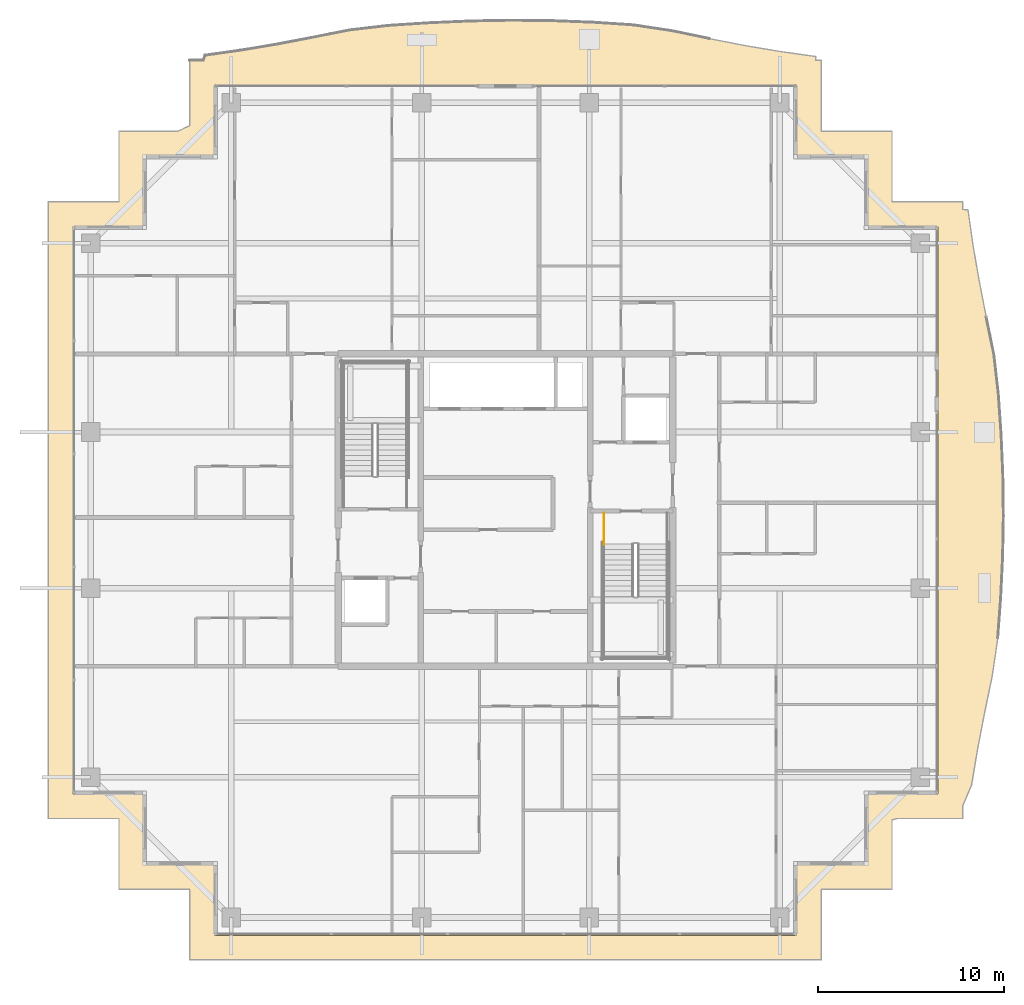
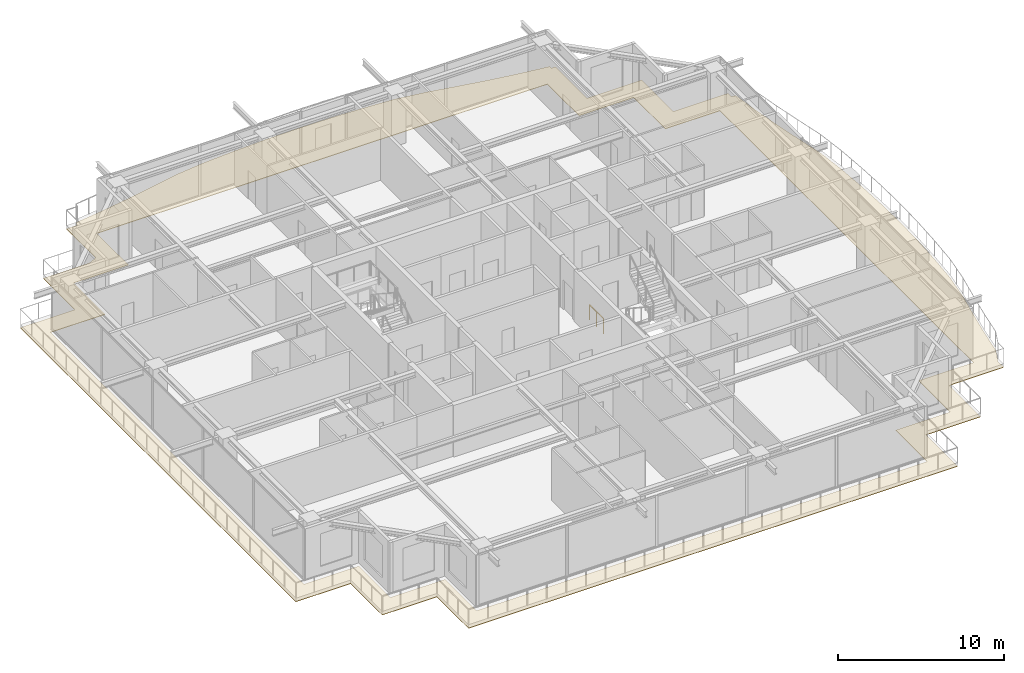
# One storey, part 37 of 39: 1 covering, 1 railing.
"""IFC4 building model written with IfcOpenShell, lengths in metres."""

from ifc_helpers import new_model, si_unit, direction, frame, origin, origin_2d, place, context, subcontext, project, spatial, polyline, circle, outline, extrude, material, layer, layer_set, type_object, element, save


model = new_model("IFC4")

# Units and contexts
model_context = context("Model", 3, precision=1e-05, world=origin(), true_north=direction((0.0, 1.0)))
body_context = subcontext(model_context, "Body", "Model", "MODEL_VIEW")
ifc_project = project(units=[si_unit("LENGTHUNIT", "METRE"), si_unit("AREAUNIT", "SQUARE_METRE"), si_unit("VOLUMEUNIT", "CUBIC_METRE"), si_unit("PLANEANGLEUNIT", "RADIAN"), si_unit("MASSUNIT", "GRAM", prefix="KILO")], contexts=[model_context])

# Site, building, storey
site_placement = place(None, origin())
site = spatial("IfcSite", under=ifc_project, at=site_placement, CompositionType="ELEMENT")
building_placement = place(site_placement, origin())
building = spatial("IfcBuilding", under=site, at=building_placement, Name="Serunith Strait Residences", CompositionType="ELEMENT")
storey_placement = place(building_placement, frame((0.0, 0.0, 329.89990234375)))
storey = spatial("IfcBuildingStorey", under=building, at=storey_placement, Name="L82", CompositionType="ELEMENT", Elevation=329.89990234375)

# Covering
ifc_material_1 = material(Name="Golden Teak Exterior Timber Boarding", Category="wood")
ifc_layer = layer(ifc_material_1, 0.034912109375, Name="Golden Teak Exterior Timber Boarding")
ifc_layer_set = layer_set([ifc_layer], Name="Golden Teak Exterior Timber Boarding")
covering_type = type_object("IfcCoveringType", Name="COV-TEAK-SOFFIT", PredefinedType="CEILING", material=ifc_layer_set)
covering_placement = place(storey_placement, frame((0.0, 0.0, -0.324951171875)))
element("IfcCovering", 1, at=covering_placement, inside=storey, type_object=covering_type, Name="L82 Golden-Teak Balcony Soffit Lining", PredefinedType="CEILING", context=body_context, shape_type="SweptSolid", body=[
    extrude(outline(polyline([(15.419921875, 49.3798828125), (16.15478515625, 49.3798828125), (16.243896484375, 49.6484375), (18.1455078125, 49.9150390625), (20.064453125, 50.23681640625), (22.017578125, 50.60791015625), (24.0234375, 51.008544921875), (26.134765625, 51.25146484375), (28.302734375, 51.39208984375), (30.49755859375, 51.48779296875), (32.7080078125, 51.527587890625), (34.9189453125, 51.505126953125), (37.114990234375, 51.419921875), (39.281982421875, 51.27880859375), (41.364013671875, 50.962158203125), (43.351806640625, 50.55029296875), (45.288330078125, 50.17333984375), (47.1943359375, 49.85107421875), (49.0869140625, 49.58837890625), (49.084716796875, 49.3798828125), (49.3798828125, 49.3798828125), (49.3798828125, 45.580078125), (53.179931640625, 45.580078125), (53.179931640625, 41.876220703125), (53.194580078125, 41.780029296875), (56.97998046875, 41.780029296875), (56.97998046875, 41.364990234375), (57.264892578125, 41.347900390625), (57.537109375, 39.447998046875), (57.86767578125, 37.53125), (58.25, 35.580810546875), (58.66357421875, 33.5771484375), (58.905517578125, 31.464599609375), (59.054443359375, 29.297607421875), (59.1494140625, 27.102294921875), (59.1787109375, 24.89208984375), (59.13818359375, 22.68359375), (59.03271484375, 20.493408203125), (58.8740234375, 18.334228515625), (58.563232421875, 16.25341796875), (58.151611328125, 14.2666015625), (57.778076171875, 12.32861328125), (57.459716796875, 10.419921875), (56.97998046875, 9.302490234375), (56.97998046875, 8.6201171875), (53.468017578125, 8.6201171875), (53.179931640625, 8.547607421875), (53.179931640625, 4.820068359375), (49.392578125, 4.820068359375), (49.3798828125, 4.815185546875), (49.3798828125, 1.02001953125), (15.419921875, 1.02001953125), (15.419921875, 4.820068359375), (11.6201171875, 4.820068359375), (11.6201171875, 8.6201171875), (7.820068359375, 8.6201171875), (7.820068359375, 41.780029296875), (11.6201171875, 41.780029296875), (11.6201171875, 45.580078125), (14.80859375, 45.580078125), (15.419921875, 45.867919921875), (15.419921875, 49.3798828125)]), holes=[polyline([(48.054931640625, 2.344970703125), (48.054931640625, 6.14501953125), (51.85498046875, 6.14501953125), (51.85498046875, 9.945068359375), (55.655029296875, 9.945068359375), (55.655029296875, 40.455078125), (51.85498046875, 40.455078125), (51.85498046875, 44.2548828125), (48.054931640625, 44.2548828125), (48.054931640625, 48.054931640625), (16.7451171875, 48.054931640625), (16.7451171875, 44.2548828125), (12.945068359375, 44.2548828125), (12.945068359375, 40.455078125), (9.14501953125, 40.455078125), (9.14501953125, 9.945068359375), (12.945068359375, 9.945068359375), (12.945068359375, 6.14501953125), (16.7451171875, 6.14501953125), (16.7451171875, 2.344970703125), (48.054931640625, 2.344970703125)])]), origin(), (0.0, 0.0, 1.0), 0.03515625),
])

# Railing
ifc_material_2 = material(Name="Brushed stainless steel 316L", Category="steel")
railing_type = type_object("IfcRailingType", Name="RLG-STAIR-GUARD", PredefinedType="BALUSTRADE", material=ifc_material_2)
railing_placement = place(storey_placement, frame((37.699951171875, 25.050048828125, 0.0)))
element("IfcRailing", 2, at=railing_placement, inside=storey, type_object=railing_type, Name="L82 ST-2 stair guard 8", PredefinedType="BALUSTRADE", context=body_context, shape_type="SweptSolid", body=[
    extrude(circle(Radius=0.02392578125, at=origin_2d()), frame((0.0, -0.001953125, 1.076171875), z_axis=(0.0, -1.0, 0.0), x_axis=(1.0, 0.0, 0.0)), (0.0, 0.0, 1.0), 1.676025390625),
    extrude(circle(Radius=0.02099609375, at=origin_2d()), origin(), (0.0, 0.0, 1.0), 1.050048828125),
    extrude(circle(Radius=0.02099609375, at=origin_2d()), frame((0.0, -0.83984375, 0.0)), (0.0, 0.0, 1.0), 1.050048828125),
    extrude(circle(Radius=0.02099609375, at=origin_2d()), frame((0.0, -1.679931640625, 0.0)), (0.0, 0.0, 1.0), 1.050048828125),
])

save(model, "model.ifc")
